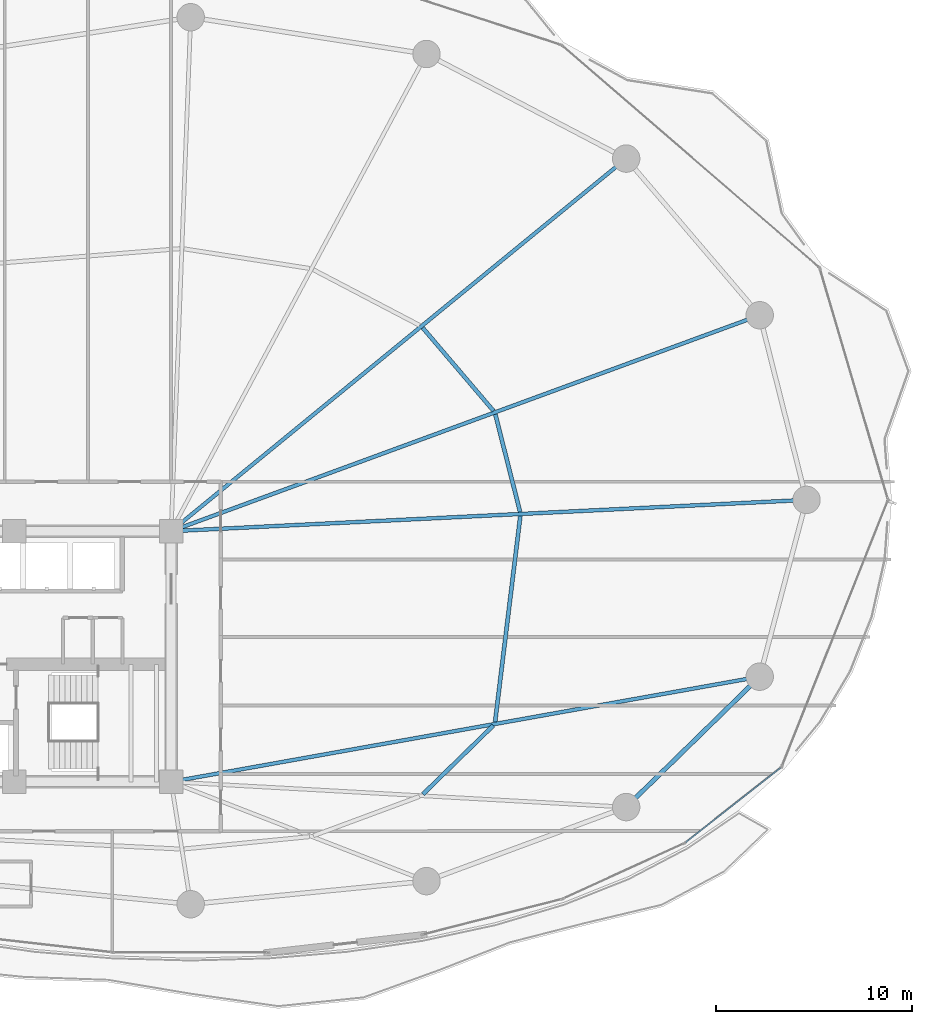
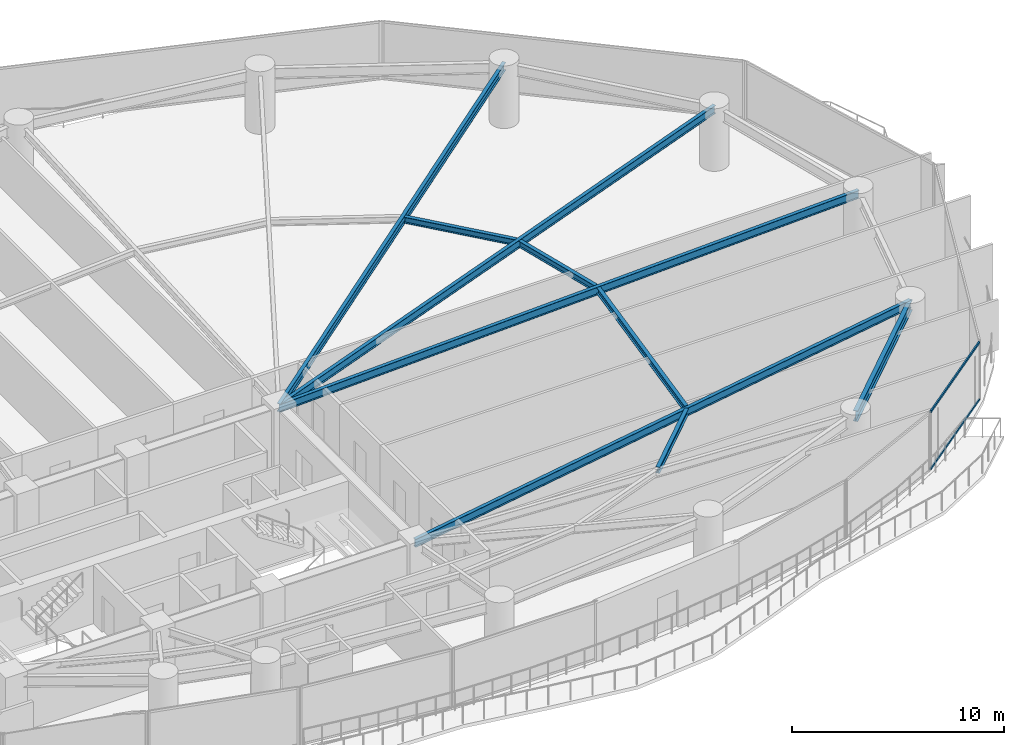
# One storey, part 14 of 33: 9 beams, 2 members, 1 element without a shape of its own.
"""IFC4 building model written with IfcOpenShell, lengths in metres."""

from ifc_helpers import new_model, si_unit, direction, frame, origin, origin_2d, place, context, subcontext, project, spatial, hollow_rectangle, i_section, extrude, material, layer, layer_set, material_profile, profile_set, type_object, element, aggregate, save


model = new_model("IFC4")

# Units and contexts
model_context = context("Model", 3, precision=1e-05, world=origin(), true_north=direction((0.0, 1.0)))
body_context = subcontext(model_context, "Body", "Model", "MODEL_VIEW")
ifc_project = project(units=[si_unit("LENGTHUNIT", "METRE"), si_unit("AREAUNIT", "SQUARE_METRE"), si_unit("VOLUMEUNIT", "CUBIC_METRE"), si_unit("PLANEANGLEUNIT", "RADIAN"), si_unit("MASSUNIT", "GRAM", prefix="KILO")], contexts=[model_context])

# Site, building, storey
site_placement = place(None, origin())
site = spatial("IfcSite", under=ifc_project, at=site_placement, CompositionType="ELEMENT")
building_placement = place(site_placement, origin())
building = spatial("IfcBuilding", under=site, at=building_placement, Name="Kazevale Care Tower and Concert Hall", CompositionType="ELEMENT")
storey_placement = place(building_placement, frame((0.0, 0.0, 31.199951171875)))
storey = spatial("IfcBuildingStorey", under=building, at=storey_placement, Name="L07", CompositionType="ELEMENT", Elevation=31.199951171875)

# Curtain wall, members
ifc_material_1 = material(Name="Aluminium 6063-T6 and Low-E Glass", Category="aluminium")
ifc_layer = layer(ifc_material_1, 0.179931640625)
ifc_layer_set = layer_set([ifc_layer], Name="Aluminium 6063-T6 and Low-E Glass")
curtain_wall_type = type_object("IfcCurtainWallType", Name="Sheltered Concave Balcony Curtain Wall CW-5", PredefinedType="NOTDEFINED", material=ifc_layer_set)
curtain_wall_placement = place(storey_placement, origin())
curtain_wall = element("IfcCurtainWall", 1, at=curtain_wall_placement, inside=storey, type_object=curtain_wall_type, Name="cw:L07:f02", PredefinedType="NOTDEFINED")
ifc_material_2 = material(Name="Aluminium 6063-T6", Category="aluminium")
ifc_material_profile_1 = material_profile(ifc_material_2, hollow_rectangle(XDim=0.074951171875, YDim=0.1201171875, WallThickness=0.00390625, at=origin_2d()), Name="ALU75x120x4")
ifc_profile_set_1 = profile_set([ifc_material_profile_1], Name="Aluminium 6063-T6")
member_type = type_object("IfcMemberType", Name="CW-5 Transom ALU75x120x4", PredefinedType="USERDEFINED", material=ifc_profile_set_1)
member_1_placement = place(storey_placement, frame((75.123046875, 24.317626953125, 0.03759765625), z_axis=(-0.78633897536, -0.617795286344, 0.0), x_axis=(0.617795286344, -0.78633897536, 0.0)))
member_1 = element("IfcMember", 2, at=member_1_placement, type_object=member_type, Name="CW-5 transom 1.1", ObjectType="TRANSOM", PredefinedType="USERDEFINED", context=body_context, shape_type="SweptSolid", body=[
    extrude(hollow_rectangle(XDim=0.074951171875, YDim=0.1201171875, WallThickness=0.00390625, at=origin_2d()), origin(), (0.0, 0.0, 1.0), 6.15771484375),
])
member_2_placement = place(storey_placement, frame((75.123046875, 24.317626953125, 3.322509765625), z_axis=(-0.78633897536, -0.617795286344, 0.0), x_axis=(0.617795286344, -0.78633897536, 0.0)))
member_2 = element("IfcMember", 3, at=member_2_placement, type_object=member_type, Name="CW-5 transom 1.2", ObjectType="TRANSOM", PredefinedType="USERDEFINED", context=body_context, shape_type="SweptSolid", body=[
    extrude(hollow_rectangle(XDim=0.074951171875, YDim=0.1201171875, WallThickness=0.00390625, at=origin_2d()), origin(), (0.0, 0.0, 1.0), 6.15771484375),
])
aggregate(curtain_wall, [member_1, member_2])

# Beams
ifc_material_3 = material(Name="Steel ASTM A572 Gr 50", Category="steel")
ifc_material_profile_2 = material_profile(ifc_material_3, i_section(OverallWidth=0.19091796875, OverallDepth=0.4599609375, WebThickness=0.010009765625, FlangeThickness=0.01611328125, at=origin_2d()), Name="W460x82")
ifc_profile_set_2 = profile_set([ifc_material_profile_2], Name="Steel ASTM A572 Gr 50")
beam_type_1 = type_object("IfcBeamType", Name="Radial Floor Beam W460x82", PredefinedType="BEAM", material=ifc_profile_set_2)
beam_1_placement = place(storey_placement, frame((44.0, 36.39990234375, 3.130126953125), z_axis=(0.998786488782, 0.049249871327, 0.0), x_axis=(-0.049249871327, 0.998786488782, 0.0)))
element("IfcBeam", 4, at=beam_1_placement, inside=storey, type_object=beam_type_1, Name="beam:L07:rad:01", PredefinedType="BEAM", context=body_context, shape_type="SweptSolid", body=[
    extrude(i_section(OverallWidth=0.19091796875, OverallDepth=0.4599609375, WebThickness=0.010009765625, FlangeThickness=0.01611328125, at=origin_2d()), origin(), (0.0, 0.0, 1.0), 32.4892578125),
])
beam_2_placement = place(storey_placement, frame((44.0, 36.39990234375, 3.130126953125), z_axis=(0.938795458019, 0.34447509054, 0.0), x_axis=(-0.34447509054, 0.938795458019, 0.0)))
element("IfcBeam", 5, at=beam_2_placement, inside=storey, type_object=beam_type_1, Name="beam:L07:rad:02", PredefinedType="BEAM", context=body_context, shape_type="SweptSolid", body=[
    extrude(i_section(OverallWidth=0.19091796875, OverallDepth=0.4599609375, WebThickness=0.010009765625, FlangeThickness=0.01611328125, at=origin_2d()), origin(), (0.0, 0.0, 1.0), 32.019775390625),
])
beam_3_placement = place(storey_placement, frame((44.0, 36.39990234375, 3.130126953125), z_axis=(0.773704467398, 0.633546681097, 0.0), x_axis=(-0.633546681097, 0.773704467398, 0.0)))
element("IfcBeam", 6, at=beam_3_placement, inside=storey, type_object=beam_type_1, Name="beam:L07:rad:03", PredefinedType="BEAM", context=body_context, shape_type="SweptSolid", body=[
    extrude(i_section(OverallWidth=0.19091796875, OverallDepth=0.4599609375, WebThickness=0.010009765625, FlangeThickness=0.01611328125, at=origin_2d()), origin(), (0.0, 0.0, 1.0), 30.037353515625),
])
beam_4_placement = place(storey_placement, frame((44.0, 23.60009765625, 3.130126953125), z_axis=(0.984416208219, 0.175854283415, 0.0), x_axis=(-0.175854283415, 0.984416208219, 0.0)))
element("IfcBeam", 7, at=beam_4_placement, inside=storey, type_object=beam_type_1, Name="beam:L07:rad:16", PredefinedType="BEAM", context=body_context, shape_type="SweptSolid", body=[
    extrude(i_section(OverallWidth=0.19091796875, OverallDepth=0.4599609375, WebThickness=0.010009765625, FlangeThickness=0.01611328125, at=origin_2d()), origin(), (0.0, 0.0, 1.0), 30.535888671875),
])
ifc_material_profile_3 = material_profile(ifc_material_3, i_section(OverallWidth=0.22900390625, OverallDepth=0.612060546875, WebThickness=0.011962890625, FlangeThickness=0.01953125, at=origin_2d()), Name="W610x125")
ifc_profile_set_3 = profile_set([ifc_material_profile_3], Name="Steel ASTM A572 Gr 50")
beam_type_2 = type_object("IfcBeamType", Name="Ring Spandrel Beam W610x125", PredefinedType="SPANDREL", material=ifc_profile_set_3)
beam_5_placement = place(storey_placement, frame((67.239990234375, 22.31005859375, 3.053955078125), z_axis=(0.715457453508, 0.698656304788, 0.0), x_axis=(-0.698656304788, 0.715457453508, 0.0)))
element("IfcBeam", 8, at=beam_5_placement, inside=storey, type_object=beam_type_2, Name="beam:L07:ring:15", PredefinedType="SPANDREL", context=body_context, shape_type="SweptSolid", body=[
    extrude(i_section(OverallWidth=0.22900390625, OverallDepth=0.612060546875, WebThickness=0.011962890625, FlangeThickness=0.01953125, at=origin_2d()), origin(), (0.0, 0.0, 1.0), 9.532470703125),
])
ifc_material_profile_4 = material_profile(ifc_material_3, i_section(OverallWidth=0.205078125, OverallDepth=0.35400390625, WebThickness=0.009521484375, FlangeThickness=0.016845703125, at=origin_2d()), Name="W360x79")
ifc_profile_set_4 = profile_set([ifc_material_profile_4], Name="Steel ASTM A572 Gr 50")
beam_type_3 = type_object("IfcBeamType", Name="Secondary Floor Joist W360x79", PredefinedType="JOIST", material=ifc_profile_set_4)
beam_6_placement = place(storey_placement, frame((61.822021484375, 37.382080078125, 3.18310546875), z_axis=(-0.24568570229, 0.969349542575, 0.0), x_axis=(-0.969349542575, -0.24568570229, 0.0)))
element("IfcBeam", 9, at=beam_6_placement, inside=storey, type_object=beam_type_3, Name="beam:L07:joist:01", PredefinedType="JOIST", context=body_context, shape_type="SweptSolid", body=[
    extrude(i_section(OverallWidth=0.205078125, OverallDepth=0.35400390625, WebThickness=0.009521484375, FlangeThickness=0.016845703125, at=origin_2d()), origin(), (0.0, 0.0, 1.0), 5.140380859375),
])
beam_7_placement = place(storey_placement, frame((60.465087890625, 42.5458984375, 3.18310546875), z_axis=(-0.648685510477, 0.761056573783, 0.0), x_axis=(-0.761056573783, -0.648685510477, 0.0)))
element("IfcBeam", 10, at=beam_7_placement, inside=storey, type_object=beam_type_3, Name="beam:L07:joist:02", PredefinedType="JOIST", context=body_context, shape_type="SweptSolid", body=[
    extrude(i_section(OverallWidth=0.205078125, OverallDepth=0.35400390625, WebThickness=0.009521484375, FlangeThickness=0.016845703125, at=origin_2d()), origin(), (0.0, 0.0, 1.0), 5.57275390625),
])
beam_8_placement = place(storey_placement, frame((56.85693359375, 22.964111328125, 3.18310546875), z_axis=(0.715521089339, 0.698591132717, 0.0), x_axis=(-0.698591132717, 0.715521089339, 0.0)))
element("IfcBeam", 11, at=beam_8_placement, inside=storey, type_object=beam_type_3, Name="beam:L07:joist:15", PredefinedType="JOIST", context=body_context, shape_type="SweptSolid", body=[
    extrude(i_section(OverallWidth=0.205078125, OverallDepth=0.35400390625, WebThickness=0.009521484375, FlangeThickness=0.016845703125, at=origin_2d()), origin(), (0.0, 0.0, 1.0), 5.03271484375),
])
beam_9_placement = place(storey_placement, frame((60.5458984375, 26.657958984375, 3.18310546875), z_axis=(0.1216468088, 0.992573450133, 0.0), x_axis=(-0.992573450133, 0.1216468088, 0.0)))
element("IfcBeam", 12, at=beam_9_placement, inside=storey, type_object=beam_type_3, Name="beam:L07:joist:16", PredefinedType="JOIST", context=body_context, shape_type="SweptSolid", body=[
    extrude(i_section(OverallWidth=0.205078125, OverallDepth=0.35400390625, WebThickness=0.009521484375, FlangeThickness=0.016845703125, at=origin_2d()), origin(), (0.0, 0.0, 1.0), 10.5966796875),
])

save(model, "model.ifc")
